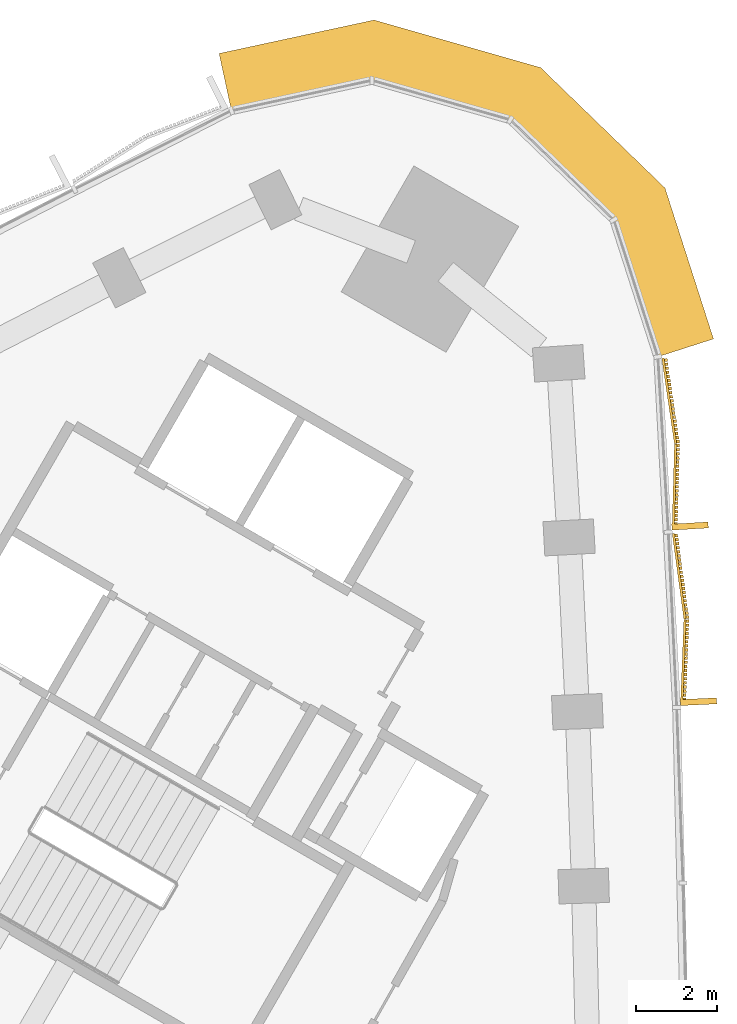
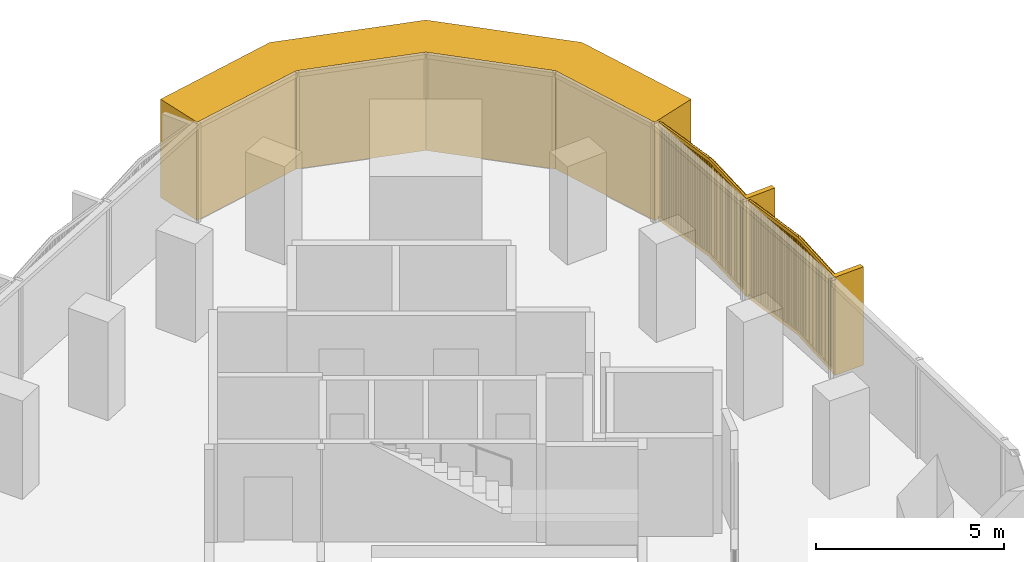
# One storey, part 14 of 14: 3 coverings.
"""IFC4 building model written with IfcOpenShell, lengths in metres."""

from ifc_helpers import new_model, si_unit, direction, frame, frame_2d, origin, place, context, subcontext, project, spatial, polyline, rectangle, outline, extrude, source, transform, mapped, material, layer, layer_set, type_object, element, save


model = new_model("IFC4")

# Units and contexts
model_context = context("Model", 3, precision=1e-05, world=origin(), true_north=direction((0.0, 1.0)))
body_context = subcontext(model_context, "Body", "Model", "MODEL_VIEW")
ifc_project = project(units=[si_unit("LENGTHUNIT", "METRE"), si_unit("AREAUNIT", "SQUARE_METRE"), si_unit("VOLUMEUNIT", "CUBIC_METRE"), si_unit("PLANEANGLEUNIT", "RADIAN"), si_unit("MASSUNIT", "GRAM", prefix="KILO")], contexts=[model_context])

# Site, building, storey
site_placement = place(None, origin())
site = spatial("IfcSite", under=ifc_project, at=site_placement, CompositionType="ELEMENT")
building_placement = place(site_placement, origin())
building = spatial("IfcBuilding", under=site, at=building_placement, Name="Tamra Quay Hotel Tower", CompositionType="ELEMENT")
storey_placement = place(building_placement, frame((0.0, 0.0, 146.800048828125)))
storey = spatial("IfcBuildingStorey", under=building, at=storey_placement, Name="L36", CompositionType="ELEMENT", Elevation=146.800048828125)

# Coverings
ifc_material_1 = material(Name="Precast concrete M60 terracotta-coloured", Category="masonry")
ifc_layer = layer(ifc_material_1, 1.449951171875)
ifc_layer_set = layer_set([ifc_layer], Name="CORNER PIER PANEL")
covering_type_1 = type_object("IfcCoveringType", Name="CORNER PIER PANEL", PredefinedType="CLADDING", material=ifc_layer_set)
covering_placement = place(storey_placement, origin())
element("IfcCovering", 1, at=covering_placement, inside=storey, type_object=covering_type_1, Name="Corner pier L36.east", PredefinedType="CLADDING", context=body_context, shape_type="SweptSolid", body=[
    extrude(outline(polyline([(20.852294921875, 23.918212890625), (22.232666015625, 24.36181640625), (21.031005859375, 28.1015625), (17.947509765625, 31.085693359375), (13.821044921875, 32.26416015625), (9.981689453125, 31.43505859375), (10.28759765625, 30.017578125), (13.772216796875, 30.770263671875), (17.199951171875, 29.791259765625), (19.76171875, 27.31201171875), (20.852294921875, 23.918212890625)])), origin(), (0.0, 0.0, 1.0), 3.199951171875),
])
ifc_material_2 = material(Name="Terracotta baguette extruded", Category="masonry")
covering_type_2 = type_object("IfcCoveringType", Name="BAGUETTE SCREEN E-V H3200", PredefinedType="USERDEFINED", material=ifc_material_2)
shared_shape = source(origin(), body_context, "Body", "SweptSolid", [
    extrude(rectangle(XDim=2.140625, YDim=0.06005859375, at=frame_2d((1.0703125, 0.030029296875))), frame((-2.1376953125, -0.057861328125, -0.1201171875), z_axis=(0.0, 0.0, 1.0), x_axis=(0.996194698092, -0.087155742748, 0.0)), (0.0, 0.0, 1.0), 0.1201171875),
    extrude(rectangle(XDim=2.140625, YDim=0.06005859375, at=frame_2d((1.0703125, 0.030029296875))), frame((-2.1376953125, -0.057861328125, -3.199951171875), z_axis=(0.0, 0.0, 1.0), x_axis=(0.996194698092, -0.087155742748, 0.0)), (0.0, 0.0, 1.0), 0.1201171875),
    extrude(rectangle(XDim=0.070068359375, YDim=0.10009765625, at=frame_2d((0.03515625, 0.050048828125))), frame((-2.11669921875, -0.13232421875, -3.139892578125)), (0.0, 0.0, 1.0), 3.080078125),
    extrude(rectangle(XDim=0.070068359375, YDim=0.10009765625, at=frame_2d((0.03515625, 0.050048828125))), frame((-2.01513671875, -0.141357421875, -3.139892578125)), (0.0, 0.0, 1.0), 3.080078125),
    extrude(rectangle(XDim=0.070068359375, YDim=0.10009765625, at=frame_2d((0.03515625, 0.050048828125))), frame((-1.91357421875, -0.150146484375, -3.139892578125)), (0.0, 0.0, 1.0), 3.080078125),
    extrude(rectangle(XDim=0.070068359375, YDim=0.10009765625, at=frame_2d((0.03515625, 0.050048828125))), frame((-1.81201171875, -0.1591796875, -3.139892578125)), (0.0, 0.0, 1.0), 3.080078125),
    extrude(rectangle(XDim=0.070068359375, YDim=0.10009765625, at=frame_2d((0.03515625, 0.050048828125))), frame((-1.71044921875, -0.16796875, -3.139892578125)), (0.0, 0.0, 1.0), 3.080078125),
    extrude(rectangle(XDim=0.070068359375, YDim=0.10009765625, at=frame_2d((0.03515625, 0.050048828125))), frame((-1.60888671875, -0.1767578125, -3.139892578125)), (0.0, 0.0, 1.0), 3.080078125),
    extrude(rectangle(XDim=0.070068359375, YDim=0.10009765625, at=frame_2d((0.03515625, 0.050048828125))), frame((-1.50732421875, -0.185791015625, -3.139892578125)), (0.0, 0.0, 1.0), 3.080078125),
    extrude(rectangle(XDim=0.070068359375, YDim=0.10009765625, at=frame_2d((0.03515625, 0.050048828125))), frame((-1.406005859375, -0.194580078125, -3.139892578125)), (0.0, 0.0, 1.0), 3.080078125),
    extrude(rectangle(XDim=0.070068359375, YDim=0.10009765625, at=frame_2d((0.03515625, 0.050048828125))), frame((-1.304443359375, -0.20361328125, -3.139892578125)), (0.0, 0.0, 1.0), 3.080078125),
    extrude(rectangle(XDim=0.070068359375, YDim=0.10009765625, at=frame_2d((0.03515625, 0.050048828125))), frame((-1.202880859375, -0.21240234375, -3.139892578125)), (0.0, 0.0, 1.0), 3.080078125),
    extrude(rectangle(XDim=0.070068359375, YDim=0.10009765625, at=frame_2d((0.03515625, 0.050048828125))), frame((-1.101318359375, -0.22119140625, -3.139892578125)), (0.0, 0.0, 1.0), 3.080078125),
    extrude(rectangle(XDim=0.070068359375, YDim=0.10009765625, at=frame_2d((0.03515625, 0.050048828125))), frame((-0.999755859375, -0.230224609375, -3.139892578125)), (0.0, 0.0, 1.0), 3.080078125),
    extrude(rectangle(XDim=0.070068359375, YDim=0.10009765625, at=frame_2d((0.03515625, 0.050048828125))), frame((-0.898193359375, -0.239013671875, -3.139892578125)), (0.0, 0.0, 1.0), 3.080078125),
    extrude(rectangle(XDim=0.070068359375, YDim=0.10009765625, at=frame_2d((0.03515625, 0.050048828125))), frame((-0.796630859375, -0.248046875, -3.139892578125)), (0.0, 0.0, 1.0), 3.080078125),
    extrude(rectangle(XDim=0.070068359375, YDim=0.10009765625, at=frame_2d((0.03515625, 0.050048828125))), frame((-0.695068359375, -0.2568359375, -3.139892578125)), (0.0, 0.0, 1.0), 3.080078125),
    extrude(rectangle(XDim=0.070068359375, YDim=0.10009765625, at=frame_2d((0.03515625, 0.050048828125))), frame((-0.593505859375, -0.265625, -3.139892578125)), (0.0, 0.0, 1.0), 3.080078125),
    extrude(rectangle(XDim=0.070068359375, YDim=0.10009765625, at=frame_2d((0.03515625, 0.050048828125))), frame((-0.491943359375, -0.274658203125, -3.139892578125)), (0.0, 0.0, 1.0), 3.080078125),
    extrude(rectangle(XDim=0.070068359375, YDim=0.10009765625, at=frame_2d((0.03515625, 0.050048828125))), frame((-0.390380859375, -0.283447265625, -3.139892578125)), (0.0, 0.0, 1.0), 3.080078125),
    extrude(rectangle(XDim=0.070068359375, YDim=0.10009765625, at=frame_2d((0.03515625, 0.050048828125))), frame((-0.288818359375, -0.29248046875, -3.139892578125)), (0.0, 0.0, 1.0), 3.080078125),
    extrude(rectangle(XDim=0.070068359375, YDim=0.10009765625, at=frame_2d((0.03515625, 0.050048828125))), frame((-0.187255859375, -0.30126953125, -3.139892578125)), (0.0, 0.0, 1.0), 3.080078125),
    extrude(rectangle(XDim=0.070068359375, YDim=0.10009765625, at=frame_2d((0.03515625, 0.050048828125))), frame((-0.085693359375, -0.31005859375, -3.139892578125)), (0.0, 0.0, 1.0), 3.080078125),
    extrude(rectangle(XDim=2.140625, YDim=0.06005859375, at=frame_2d((1.0703125, 0.030029296875))), frame((0.005126953125, -0.244384765625, -0.1201171875), z_axis=(0.0, 0.0, 1.0), x_axis=(0.996194698092, 0.087155742748, 0.0)), (0.0, 0.0, 1.0), 0.1201171875),
    extrude(rectangle(XDim=2.140625, YDim=0.06005859375, at=frame_2d((1.0703125, 0.030029296875))), frame((0.005126953125, -0.244384765625, -3.199951171875), z_axis=(0.0, 0.0, 1.0), x_axis=(0.996194698092, 0.087155742748, 0.0)), (0.0, 0.0, 1.0), 0.1201171875),
    extrude(rectangle(XDim=0.070068359375, YDim=0.10009765625, at=frame_2d((0.03515625, 0.050048828125))), frame((0.015869140625, -0.31005859375, -3.139892578125)), (0.0, 0.0, 1.0), 3.080078125),
    extrude(rectangle(XDim=0.070068359375, YDim=0.10009765625, at=frame_2d((0.03515625, 0.050048828125))), frame((0.117431640625, -0.30126953125, -3.139892578125)), (0.0, 0.0, 1.0), 3.080078125),
    extrude(rectangle(XDim=0.070068359375, YDim=0.10009765625, at=frame_2d((0.03515625, 0.050048828125))), frame((0.21875, -0.29248046875, -3.139892578125)), (0.0, 0.0, 1.0), 3.080078125),
    extrude(rectangle(XDim=0.070068359375, YDim=0.10009765625, at=frame_2d((0.03515625, 0.050048828125))), frame((0.3203125, -0.283447265625, -3.139892578125)), (0.0, 0.0, 1.0), 3.080078125),
    extrude(rectangle(XDim=0.070068359375, YDim=0.10009765625, at=frame_2d((0.03515625, 0.050048828125))), frame((0.421875, -0.274658203125, -3.139892578125)), (0.0, 0.0, 1.0), 3.080078125),
    extrude(rectangle(XDim=0.070068359375, YDim=0.10009765625, at=frame_2d((0.03515625, 0.050048828125))), frame((0.5234375, -0.265625, -3.139892578125)), (0.0, 0.0, 1.0), 3.080078125),
    extrude(rectangle(XDim=0.070068359375, YDim=0.10009765625, at=frame_2d((0.03515625, 0.050048828125))), frame((0.625, -0.2568359375, -3.139892578125)), (0.0, 0.0, 1.0), 3.080078125),
    extrude(rectangle(XDim=0.070068359375, YDim=0.10009765625, at=frame_2d((0.03515625, 0.050048828125))), frame((0.7265625, -0.248046875, -3.139892578125)), (0.0, 0.0, 1.0), 3.080078125),
    extrude(rectangle(XDim=0.070068359375, YDim=0.10009765625, at=frame_2d((0.03515625, 0.050048828125))), frame((0.828125, -0.239013671875, -3.139892578125)), (0.0, 0.0, 1.0), 3.080078125),
    extrude(rectangle(XDim=0.070068359375, YDim=0.10009765625, at=frame_2d((0.03515625, 0.050048828125))), frame((0.9296875, -0.230224609375, -3.139892578125)), (0.0, 0.0, 1.0), 3.080078125),
    extrude(rectangle(XDim=0.070068359375, YDim=0.10009765625, at=frame_2d((0.03515625, 0.050048828125))), frame((1.03125, -0.22119140625, -3.139892578125)), (0.0, 0.0, 1.0), 3.080078125),
    extrude(rectangle(XDim=0.070068359375, YDim=0.10009765625, at=frame_2d((0.03515625, 0.050048828125))), frame((1.1328125, -0.21240234375, -3.139892578125)), (0.0, 0.0, 1.0), 3.080078125),
    extrude(rectangle(XDim=0.070068359375, YDim=0.10009765625, at=frame_2d((0.03515625, 0.050048828125))), frame((1.234375, -0.20361328125, -3.139892578125)), (0.0, 0.0, 1.0), 3.080078125),
    extrude(rectangle(XDim=0.070068359375, YDim=0.10009765625, at=frame_2d((0.03515625, 0.050048828125))), frame((1.3359375, -0.194580078125, -3.139892578125)), (0.0, 0.0, 1.0), 3.080078125),
    extrude(rectangle(XDim=0.070068359375, YDim=0.10009765625, at=frame_2d((0.03515625, 0.050048828125))), frame((1.4375, -0.185791015625, -3.139892578125)), (0.0, 0.0, 1.0), 3.080078125),
    extrude(rectangle(XDim=0.070068359375, YDim=0.10009765625, at=frame_2d((0.03515625, 0.050048828125))), frame((1.5390625, -0.1767578125, -3.139892578125)), (0.0, 0.0, 1.0), 3.080078125),
    extrude(rectangle(XDim=0.070068359375, YDim=0.10009765625, at=frame_2d((0.03515625, 0.050048828125))), frame((1.640625, -0.16796875, -3.139892578125)), (0.0, 0.0, 1.0), 3.080078125),
    extrude(rectangle(XDim=0.070068359375, YDim=0.10009765625, at=frame_2d((0.03515625, 0.050048828125))), frame((1.7421875, -0.1591796875, -3.139892578125)), (0.0, 0.0, 1.0), 3.080078125),
    extrude(rectangle(XDim=0.070068359375, YDim=0.10009765625, at=frame_2d((0.03515625, 0.050048828125))), frame((1.84375, -0.150146484375, -3.139892578125)), (0.0, 0.0, 1.0), 3.080078125),
    extrude(rectangle(XDim=0.070068359375, YDim=0.10009765625, at=frame_2d((0.03515625, 0.050048828125))), frame((1.945068359375, -0.141357421875, -3.139892578125)), (0.0, 0.0, 1.0), 3.080078125),
    extrude(rectangle(XDim=0.070068359375, YDim=0.10009765625, at=frame_2d((0.03515625, 0.050048828125))), frame((2.046630859375, -0.13232421875, -3.139892578125)), (0.0, 0.0, 1.0), 3.080078125),
    extrude(rectangle(XDim=0.14990234375, YDim=0.902099609375, at=frame_2d((0.074951171875, 0.451171875))), frame((-2.132568359375, -0.89990234375, -3.199951171875)), (0.0, 0.0, 1.0), 3.199951171875),
])
for number, where, z_axis, x_axis, name in (
    (2, (21.3134765625, 17.40576171875, 3.199951171875), (0.0, 0.0, 1.0), (-0.047747439326, 0.998859440581, 0.0), "Baguette screen L36.E.f09"),
    (3, (21.079833984375, 21.751953125, 3.199951171875), (0.0, 0.0, 1.0), (-0.059641629271, 0.998219853568, 0.0), "Baguette screen L36.E.f10"),
):
    element("IfcCovering", number, at=place(storey_placement, frame(where, z_axis=z_axis, x_axis=x_axis)), inside=storey, type_object=covering_type_2, Name=name, ObjectType="BAGUETTE SCREEN", PredefinedType="USERDEFINED", context=body_context, shape_type="MappedRepresentation", body=[
        mapped(shared_shape, transform((0.0, 0.0, 0.0), scale=1.0)),
    ])

save(model, "model.ifc")
